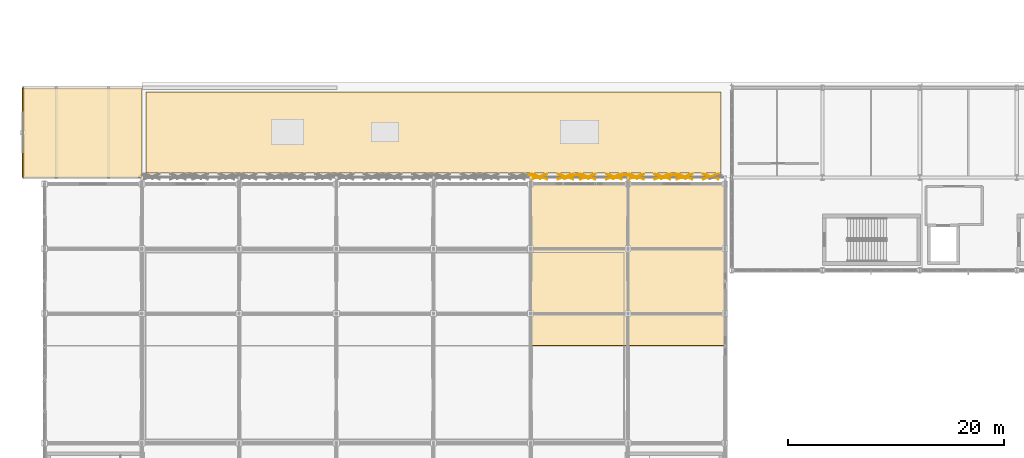
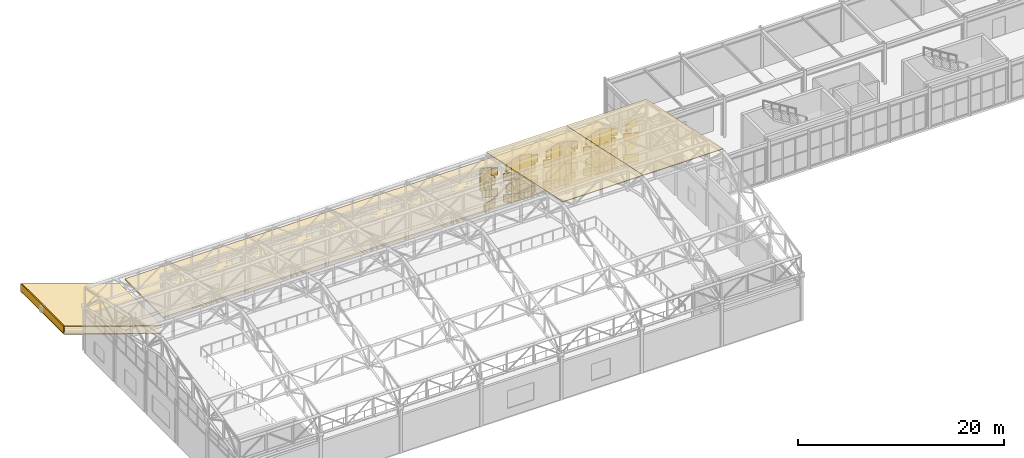
# One storey, part 104 of 112: 52 coverings.
"""IFC4 building model written with IfcOpenShell, lengths in metres."""

from ifc_helpers import new_model, si_unit, direction, frame, origin, origin_2d, place, context, subcontext, project, spatial, polyline, rectangle, outline, extrude, material, layer, layer_set, type_object, element, save


model = new_model("IFC4")

# Units and contexts
model_context = context("Model", 3, precision=1e-05, world=origin(), true_north=direction((0.0, 1.0)))
body_context = subcontext(model_context, "Body", "Model", "MODEL_VIEW")
ifc_project = project(units=[si_unit("LENGTHUNIT", "METRE"), si_unit("AREAUNIT", "SQUARE_METRE"), si_unit("VOLUMEUNIT", "CUBIC_METRE"), si_unit("PLANEANGLEUNIT", "RADIAN"), si_unit("MASSUNIT", "GRAM", prefix="KILO")], contexts=[model_context])

# Site, building, storey
site_placement = place(None, origin())
site = spatial("IfcSite", under=ifc_project, at=site_placement, CompositionType="ELEMENT")
building_placement = place(site_placement, origin())
building = spatial("IfcBuilding", under=site, at=building_placement, Name="Kaldris Quays Convention Centre", CompositionType="ELEMENT")
storey_placement = place(building_placement, frame((0.0, 0.0, 16.800048828125)))
storey = spatial("IfcBuildingStorey", under=building, at=storey_placement, Name="L03", CompositionType="ELEMENT", Elevation=16.800048828125)

# Coverings
ifc_material_1 = material(Name="Alabaster white star-pierced anodized aluminium panel", Category="aluminium")
ifc_layer_1 = layer(ifc_material_1, 0.054931640625)
ifc_layer_set_1 = layer_set([ifc_layer_1], Name="Alabaster white star-pierced anodized aluminium panel")
covering_type_1 = type_object("IfcCoveringType", Name="ALABASTER WHITE STANDING SEAM ROOF SRF1", PredefinedType="ROOFING", material=ifc_layer_set_1)
for number, where, z_axis, x_axis, name in (
    (1, (65.0, 31.02490234375, 11.104736328125), (0.0, 0.208631761639, 0.977994267895), (1.0, 0.0, 0.0), "Hall Alabaster White Standing-Seam Roof Panel 35"),
    (2, (74.0, 31.02490234375, 11.104736328125), (0.0, 0.208631761639, 0.977994267895), (1.0, 0.0, 0.0), "Hall Alabaster White Standing-Seam Roof Panel 36"),
):
    element("IfcCovering", number, at=place(storey_placement, frame(where, z_axis=z_axis, x_axis=x_axis)), inside=storey, type_object=covering_type_1, Name=name, PredefinedType="ROOFING", context=body_context, shape_type="SweptSolid", body=[
        extrude(outline(polyline([(0.0, 0.0), (9.0, 0.0), (9.0, 15.312050538375889), (0.0, 15.312050538375889), (0.0, 0.0)])), origin(), (0.0, 0.0, -1.0), 0.054931640625),
    ])
covering_1_placement = place(storey_placement, frame((18.0, 46.60009765625, 3.36279296875), z_axis=(0.325567686474, 0.0, 0.945518736739), x_axis=(0.945518736739, 0.0, -0.325567686474)))
element("IfcCovering", 3, at=covering_1_placement, inside=storey, type_object=covering_type_1, Name="WR-WEST Alabaster White Raised Wing Top Cladding 1", PredefinedType="ROOFING", context=body_context, shape_type="SweptSolid", body=[
    extrude(outline(polyline([(0.0, 0.0), (11.633825510365476, 0.0), (11.633825510365476, 8.2998046875), (0.0, 8.2998046875), (0.0, 0.0)])), origin(), (0.0, 0.0, -1.0), 0.054931640625),
])
ifc_material_2 = material(Name="Planted Basler Dachsubstrat mineral green roof", Category="earth")
ifc_layer_2 = layer(ifc_material_2, 0.199951171875)
ifc_layer_set_2 = layer_set([ifc_layer_2], Name="Planted Basler Dachsubstrat mineral green roof")
covering_type_2 = type_object("IfcCoveringType", Name="BASEL NATIVE GREEN ROOF SUBSTRATE GRF1", PredefinedType="ROOFING", material=ifc_layer_set_2)
covering_2_placement = place(storey_placement, origin())
element("IfcCovering", 4, at=covering_2_placement, inside=storey, type_object=covering_type_2, Name="L03 Basler Dachsubstrat Green Roof 1", PredefinedType="ROOFING", context=body_context, shape_type="SweptSolid", body=[
    extrude(outline(polyline([(29.39990234375, 47.0), (82.60009765625, 47.0), (82.60009765625, 54.5), (29.39990234375, 54.5), (29.39990234375, 47.0)])), origin(), (0.0, 0.0, 1.0), 0.199951171875),
])
ifc_material_3 = material(Name="Glulam GL28h", Category="wood")
ifc_layer_3 = layer(ifc_material_3, 0.0400390625)
ifc_layer_set_3 = layer_set([ifc_layer_3], Name="Glulam GL28h")
covering_type_3 = type_object("IfcCoveringType", Name="GLULAM WING SOFFIT TRIM SF02", PredefinedType="CEILING", material=ifc_layer_set_3)
covering_3_placement = place(storey_placement, frame((18.0, 46.60009765625, 2.400634765625), z_axis=(0.325567686474, 0.0, 0.945518736739), x_axis=(0.945518736739, 0.0, -0.325567686474)))
element("IfcCovering", 5, at=covering_3_placement, inside=storey, type_object=covering_type_3, Name="WR-WEST Glulam GL28h Wing Soffit Trim 1", PredefinedType="CEILING", context=body_context, shape_type="SweptSolid", body=[
    extrude(outline(polyline([(0.0, 0.0), (11.633825510365476, 0.0), (11.633825510365476, 8.2998046875), (0.0, 8.2998046875), (0.0, 0.0)])), origin(), (0.0, 0.0, -1.0), 0.0400390625),
])
ifc_layer_4 = layer(ifc_material_1, 0.044921875)
ifc_layer_set_4 = layer_set([ifc_layer_4], Name="Alabaster white star-pierced anodized aluminium panel")
covering_type_4 = type_object("IfcCoveringType", Name="STAR PIERCED WHITE FOLDED SCREEN CL01", PredefinedType="CLADDING", material=ifc_layer_set_4)
covering_4_placement = place(storey_placement, frame((68.667236328125, 46.659912109375, 0.33984375), z_axis=(0.0, 0.0, 1.0), x_axis=(0.945518575599, 0.325568154457, 0.0)))
element("IfcCovering", 6, at=covering_4_placement, inside=storey, type_object=covering_type_4, Name="V3NU Folded White Screen Stile 3208", PredefinedType="CLADDING", context=body_context, shape_type="SweptSolid", body=[
    extrude(rectangle(XDim=1.137939453125, YDim=0.054931640625, at=origin_2d()), origin(), (0.0, 0.0, 1.0), 2.64501953125),
])
for number, where, z_axis, x_axis, name in (
    (7, (65.7978515625, 46.679931640625, 0.55126953125), (0.0, 0.0, 1.0), (0.945518575599, 0.325568154457, 0.0), "V3NU Carved Star Corner Facet 3209"),
    (8, (65.7978515625, 46.679931640625, 1.914794921875), (0.0, 0.0, 1.0), (0.945518575599, -0.325568154457, 0.0), "V3NU Carved Star Corner Facet 3210"),
    (9, (68.21875, 46.679931640625, 0.55126953125), (0.0, 0.0, 1.0), (0.945518575599, -0.325568154457, 0.0), "V3NU Carved Star Corner Facet 3211"),
    (10, (68.21875, 46.679931640625, 1.914794921875), (0.0, 0.0, 1.0), (0.945518575599, 0.325568154457, 0.0), "V3NU Carved Star Corner Facet 3212"),
):
    element("IfcCovering", number, at=place(storey_placement, frame(where, z_axis=z_axis, x_axis=x_axis)), inside=storey, type_object=covering_type_4, Name=name, PredefinedType="CLADDING", context=body_context, shape_type="SweptSolid", body=[
        extrude(rectangle(XDim=1.52392578125, YDim=0.06494140625, at=origin_2d()), origin(), (0.0, 0.0, 1.0), 0.85888671875),
    ])
for number, where, z_axis, x_axis, name in (
    (11, (65.349609375, 46.659912109375, 2.864990234375), (0.0, 0.0, 1.0), (0.945518575599, -0.325568154457, 0.0), "V3NU Folded White Screen Stile 3213"),
    (12, (68.667236328125, 46.659912109375, 2.864990234375), (0.0, 0.0, 1.0), (0.945518575599, 0.325568154457, 0.0), "V3NU Folded White Screen Stile 3214"),
):
    element("IfcCovering", number, at=place(storey_placement, frame(where, z_axis=z_axis, x_axis=x_axis)), inside=storey, type_object=covering_type_4, Name=name, PredefinedType="CLADDING", context=body_context, shape_type="SweptSolid", body=[
        extrude(rectangle(XDim=1.137939453125, YDim=0.054931640625, at=origin_2d()), origin(), (0.0, 0.0, 1.0), 2.64501953125),
    ])
for number, where, z_axis, x_axis, name in (
    (13, (65.7978515625, 46.679931640625, 3.07666015625), (0.0, 0.0, 1.0), (0.945518575599, 0.325568154457, 0.0), "V3NU Carved Star Corner Facet 3215"),
    (14, (65.7978515625, 46.679931640625, 4.440185546875), (0.0, 0.0, 1.0), (0.945518575599, -0.325568154457, 0.0), "V3NU Carved Star Corner Facet 3216"),
    (15, (68.21875, 46.679931640625, 3.07666015625), (0.0, 0.0, 1.0), (0.945518575599, -0.325568154457, 0.0), "V3NU Carved Star Corner Facet 3217"),
    (16, (68.21875, 46.679931640625, 4.440185546875), (0.0, 0.0, 1.0), (0.945518575599, 0.325568154457, 0.0), "V3NU Carved Star Corner Facet 3218"),
):
    element("IfcCovering", number, at=place(storey_placement, frame(where, z_axis=z_axis, x_axis=x_axis)), inside=storey, type_object=covering_type_4, Name=name, PredefinedType="CLADDING", context=body_context, shape_type="SweptSolid", body=[
        extrude(rectangle(XDim=1.52392578125, YDim=0.06494140625, at=origin_2d()), origin(), (0.0, 0.0, 1.0), 0.85791015625),
    ])
for number, where, z_axis, x_axis, name in (
    (17, (69.832763671875, 46.659912109375, 0.33984375), (0.0, 0.0, 1.0), (0.945518575599, -0.325568154457, 0.0), "V3NU Folded White Screen Stile 3219"),
    (18, (73.150390625, 46.659912109375, 0.33984375), (0.0, 0.0, 1.0), (0.945518575599, 0.325568154457, 0.0), "V3NU Folded White Screen Stile 3220"),
):
    element("IfcCovering", number, at=place(storey_placement, frame(where, z_axis=z_axis, x_axis=x_axis)), inside=storey, type_object=covering_type_4, Name=name, PredefinedType="CLADDING", context=body_context, shape_type="SweptSolid", body=[
        extrude(rectangle(XDim=1.137939453125, YDim=0.054931640625, at=origin_2d()), origin(), (0.0, 0.0, 1.0), 2.64501953125),
    ])
for number, where, z_axis, x_axis, name in (
    (19, (70.28125, 46.679931640625, 0.55126953125), (0.0, 0.0, 1.0), (0.945518575599, 0.325568154457, 0.0), "V3NU Carved Star Corner Facet 3221"),
    (20, (70.28125, 46.679931640625, 1.914794921875), (0.0, 0.0, 1.0), (0.945518575599, -0.325568154457, 0.0), "V3NU Carved Star Corner Facet 3222"),
    (21, (72.7021484375, 46.679931640625, 0.55126953125), (0.0, 0.0, 1.0), (0.945518575599, -0.325568154457, 0.0), "V3NU Carved Star Corner Facet 3223"),
    (22, (72.7021484375, 46.679931640625, 1.914794921875), (0.0, 0.0, 1.0), (0.945518575599, 0.325568154457, 0.0), "V3NU Carved Star Corner Facet 3224"),
):
    element("IfcCovering", number, at=place(storey_placement, frame(where, z_axis=z_axis, x_axis=x_axis)), inside=storey, type_object=covering_type_4, Name=name, PredefinedType="CLADDING", context=body_context, shape_type="SweptSolid", body=[
        extrude(rectangle(XDim=1.52392578125, YDim=0.06494140625, at=origin_2d()), origin(), (0.0, 0.0, 1.0), 0.85888671875),
    ])
for number, where, z_axis, x_axis, name in (
    (23, (69.832763671875, 46.659912109375, 2.864990234375), (0.0, 0.0, 1.0), (0.945518575599, -0.325568154457, 0.0), "V3NU Folded White Screen Stile 3225"),
    (24, (73.150390625, 46.659912109375, 2.864990234375), (0.0, 0.0, 1.0), (0.945518575599, 0.325568154457, 0.0), "V3NU Folded White Screen Stile 3226"),
):
    element("IfcCovering", number, at=place(storey_placement, frame(where, z_axis=z_axis, x_axis=x_axis)), inside=storey, type_object=covering_type_4, Name=name, PredefinedType="CLADDING", context=body_context, shape_type="SweptSolid", body=[
        extrude(rectangle(XDim=1.137939453125, YDim=0.054931640625, at=origin_2d()), origin(), (0.0, 0.0, 1.0), 2.64501953125),
    ])
for number, where, z_axis, x_axis, name in (
    (25, (70.28125, 46.679931640625, 3.07666015625), (0.0, 0.0, 1.0), (0.945518575599, 0.325568154457, 0.0), "V3NU Carved Star Corner Facet 3227"),
    (26, (70.28125, 46.679931640625, 4.440185546875), (0.0, 0.0, 1.0), (0.945518575599, -0.325568154457, 0.0), "V3NU Carved Star Corner Facet 3228"),
    (27, (72.7021484375, 46.679931640625, 3.07666015625), (0.0, 0.0, 1.0), (0.945518575599, -0.325568154457, 0.0), "V3NU Carved Star Corner Facet 3229"),
    (28, (72.7021484375, 46.679931640625, 4.440185546875), (0.0, 0.0, 1.0), (0.945518575599, 0.325568154457, 0.0), "V3NU Carved Star Corner Facet 3230"),
):
    element("IfcCovering", number, at=place(storey_placement, frame(where, z_axis=z_axis, x_axis=x_axis)), inside=storey, type_object=covering_type_4, Name=name, PredefinedType="CLADDING", context=body_context, shape_type="SweptSolid", body=[
        extrude(rectangle(XDim=1.52392578125, YDim=0.06494140625, at=origin_2d()), origin(), (0.0, 0.0, 1.0), 0.85791015625),
    ])
for number, where, z_axis, x_axis, name in (
    (29, (74.316162109375, 46.659912109375, 0.33984375), (0.0, 0.0, 1.0), (0.945518575599, -0.325568154457, 0.0), "V3NU Folded White Screen Stile 3231"),
    (30, (77.6337890625, 46.659912109375, 0.33984375), (0.0, 0.0, 1.0), (0.945518575599, 0.325568154457, 0.0), "V3NU Folded White Screen Stile 3232"),
):
    element("IfcCovering", number, at=place(storey_placement, frame(where, z_axis=z_axis, x_axis=x_axis)), inside=storey, type_object=covering_type_4, Name=name, PredefinedType="CLADDING", context=body_context, shape_type="SweptSolid", body=[
        extrude(rectangle(XDim=1.137939453125, YDim=0.054931640625, at=origin_2d()), origin(), (0.0, 0.0, 1.0), 2.64501953125),
    ])
for number, where, z_axis, x_axis, name in (
    (31, (74.764404296875, 46.679931640625, 0.55126953125), (0.0, 0.0, 1.0), (0.945518575599, 0.325568154457, 0.0), "V3NU Carved Star Corner Facet 3233"),
    (32, (74.764404296875, 46.679931640625, 1.914794921875), (0.0, 0.0, 1.0), (0.945518575599, -0.325568154457, 0.0), "V3NU Carved Star Corner Facet 3234"),
    (33, (77.185546875, 46.679931640625, 0.55126953125), (0.0, 0.0, 1.0), (0.945518575599, -0.325568154457, 0.0), "V3NU Carved Star Corner Facet 3235"),
    (34, (77.185546875, 46.679931640625, 1.914794921875), (0.0, 0.0, 1.0), (0.945518575599, 0.325568154457, 0.0), "V3NU Carved Star Corner Facet 3236"),
):
    element("IfcCovering", number, at=place(storey_placement, frame(where, z_axis=z_axis, x_axis=x_axis)), inside=storey, type_object=covering_type_4, Name=name, PredefinedType="CLADDING", context=body_context, shape_type="SweptSolid", body=[
        extrude(rectangle(XDim=1.52392578125, YDim=0.06494140625, at=origin_2d()), origin(), (0.0, 0.0, 1.0), 0.85888671875),
    ])
for number, where, z_axis, x_axis, name in (
    (35, (74.316162109375, 46.659912109375, 2.864990234375), (0.0, 0.0, 1.0), (0.945518575599, -0.325568154457, 0.0), "V3NU Folded White Screen Stile 3237"),
    (36, (77.6337890625, 46.659912109375, 2.864990234375), (0.0, 0.0, 1.0), (0.945518575599, 0.325568154457, 0.0), "V3NU Folded White Screen Stile 3238"),
):
    element("IfcCovering", number, at=place(storey_placement, frame(where, z_axis=z_axis, x_axis=x_axis)), inside=storey, type_object=covering_type_4, Name=name, PredefinedType="CLADDING", context=body_context, shape_type="SweptSolid", body=[
        extrude(rectangle(XDim=1.137939453125, YDim=0.054931640625, at=origin_2d()), origin(), (0.0, 0.0, 1.0), 2.64501953125),
    ])
for number, where, z_axis, x_axis, name in (
    (37, (74.764404296875, 46.679931640625, 3.07666015625), (0.0, 0.0, 1.0), (0.945518575599, 0.325568154457, 0.0), "V3NU Carved Star Corner Facet 3239"),
    (38, (74.764404296875, 46.679931640625, 4.440185546875), (0.0, 0.0, 1.0), (0.945518575599, -0.325568154457, 0.0), "V3NU Carved Star Corner Facet 3240"),
    (39, (77.185546875, 46.679931640625, 3.07666015625), (0.0, 0.0, 1.0), (0.945518575599, -0.325568154457, 0.0), "V3NU Carved Star Corner Facet 3241"),
    (40, (77.185546875, 46.679931640625, 4.440185546875), (0.0, 0.0, 1.0), (0.945518575599, 0.325568154457, 0.0), "V3NU Carved Star Corner Facet 3242"),
):
    element("IfcCovering", number, at=place(storey_placement, frame(where, z_axis=z_axis, x_axis=x_axis)), inside=storey, type_object=covering_type_4, Name=name, PredefinedType="CLADDING", context=body_context, shape_type="SweptSolid", body=[
        extrude(rectangle(XDim=1.52392578125, YDim=0.06494140625, at=origin_2d()), origin(), (0.0, 0.0, 1.0), 0.85791015625),
    ])
covering_5_placement = place(storey_placement, frame((78.799560546875, 46.659912109375, 0.33984375), z_axis=(0.0, 0.0, 1.0), x_axis=(0.945518575599, -0.325568154457, 0.0)))
element("IfcCovering", 41, at=covering_5_placement, inside=storey, type_object=covering_type_4, Name="V3NU Folded White Screen Stile 3243", PredefinedType="CLADDING", context=body_context, shape_type="SweptSolid", body=[
    extrude(rectangle(XDim=1.137939453125, YDim=0.054931640625, at=origin_2d()), origin(), (0.0, 0.0, 1.0), 2.64501953125),
])
for number, where, z_axis, x_axis, name in (
    (42, (79.247802734375, 46.679931640625, 0.55126953125), (0.0, 0.0, 1.0), (0.945518575599, 0.325568154457, 0.0), "V3NU Carved Star Corner Facet 3245"),
    (43, (79.247802734375, 46.679931640625, 1.914794921875), (0.0, 0.0, 1.0), (0.945518575599, -0.325568154457, 0.0), "V3NU Carved Star Corner Facet 3246"),
    (44, (81.668701171875, 46.679931640625, 0.55126953125), (0.0, 0.0, 1.0), (0.945518575599, -0.325568154457, 0.0), "V3NU Carved Star Corner Facet 3247"),
    (45, (81.668701171875, 46.679931640625, 1.914794921875), (0.0, 0.0, 1.0), (0.945518575599, 0.325568154457, 0.0), "V3NU Carved Star Corner Facet 3248"),
):
    element("IfcCovering", number, at=place(storey_placement, frame(where, z_axis=z_axis, x_axis=x_axis)), inside=storey, type_object=covering_type_4, Name=name, PredefinedType="CLADDING", context=body_context, shape_type="SweptSolid", body=[
        extrude(rectangle(XDim=1.52392578125, YDim=0.06494140625, at=origin_2d()), origin(), (0.0, 0.0, 1.0), 0.85888671875),
    ])
covering_6_placement = place(storey_placement, frame((78.799560546875, 46.659912109375, 2.864990234375), z_axis=(0.0, 0.0, 1.0), x_axis=(0.945518575599, -0.325568154457, 0.0)))
element("IfcCovering", 46, at=covering_6_placement, inside=storey, type_object=covering_type_4, Name="V3NU Folded White Screen Stile 3249", PredefinedType="CLADDING", context=body_context, shape_type="SweptSolid", body=[
    extrude(rectangle(XDim=1.137939453125, YDim=0.054931640625, at=origin_2d()), origin(), (0.0, 0.0, 1.0), 2.64501953125),
])
for number, where, z_axis, x_axis, name in (
    (47, (79.247802734375, 46.679931640625, 3.07666015625), (0.0, 0.0, 1.0), (0.945518575599, 0.325568154457, 0.0), "V3NU Carved Star Corner Facet 3251"),
    (48, (79.247802734375, 46.679931640625, 4.440185546875), (0.0, 0.0, 1.0), (0.945518575599, -0.325568154457, 0.0), "V3NU Carved Star Corner Facet 3252"),
    (49, (81.668701171875, 46.679931640625, 3.07666015625), (0.0, 0.0, 1.0), (0.945518575599, -0.325568154457, 0.0), "V3NU Carved Star Corner Facet 3253"),
    (50, (81.668701171875, 46.679931640625, 4.440185546875), (0.0, 0.0, 1.0), (0.945518575599, 0.325568154457, 0.0), "V3NU Carved Star Corner Facet 3254"),
):
    element("IfcCovering", number, at=place(storey_placement, frame(where, z_axis=z_axis, x_axis=x_axis)), inside=storey, type_object=covering_type_4, Name=name, PredefinedType="CLADDING", context=body_context, shape_type="SweptSolid", body=[
        extrude(rectangle(XDim=1.52392578125, YDim=0.06494140625, at=origin_2d()), origin(), (0.0, 0.0, 1.0), 0.85791015625),
    ])
covering_7_placement = place(storey_placement, frame((18.0, 50.75, 2.53271484375), z_axis=(0.0, 0.0, 1.0), x_axis=(0.0, 1.0, 0.0)))
element("IfcCovering", 51, at=covering_7_placement, inside=storey, type_object=covering_type_4, Name="WR-WEST Alabaster White Wing Leading Fascia 1", PredefinedType="CLADDING", context=body_context, shape_type="SweptSolid", body=[
    extrude(rectangle(XDim=8.300048828125, YDim=0.1201171875, at=origin_2d()), origin(), (0.0, 0.0, 1.0), 0.85009765625),
])
ifc_layer_5 = layer(ifc_material_1, 0.034912109375)
ifc_layer_set_5 = layer_set([ifc_layer_5], Name="Alabaster white star-pierced anodized aluminium panel")
covering_type_5 = type_object("IfcCoveringType", Name="STAR PIERCED WHITE WING SOFFIT SF01", PredefinedType="CEILING", material=ifc_layer_set_5)
covering_8_placement = place(storey_placement, frame((18.0, 46.60009765625, 2.445556640625), z_axis=(0.325567686474, 0.0, 0.945518736739), x_axis=(0.945518736739, 0.0, -0.325567686474)))
element("IfcCovering", 52, at=covering_8_placement, inside=storey, type_object=covering_type_5, Name="WR-WEST Star-Pierced White Wing Soffit 1", PredefinedType="CEILING", context=body_context, shape_type="SweptSolid", body=[
    extrude(outline(polyline([(0.0, 0.0), (11.633825510365476, 0.0), (11.633825510365476, 8.2998046875), (0.0, 8.2998046875), (0.0, 0.0)])), origin(), (0.0, 0.0, -1.0), 0.044921875),
])

save(model, "model.ifc")
